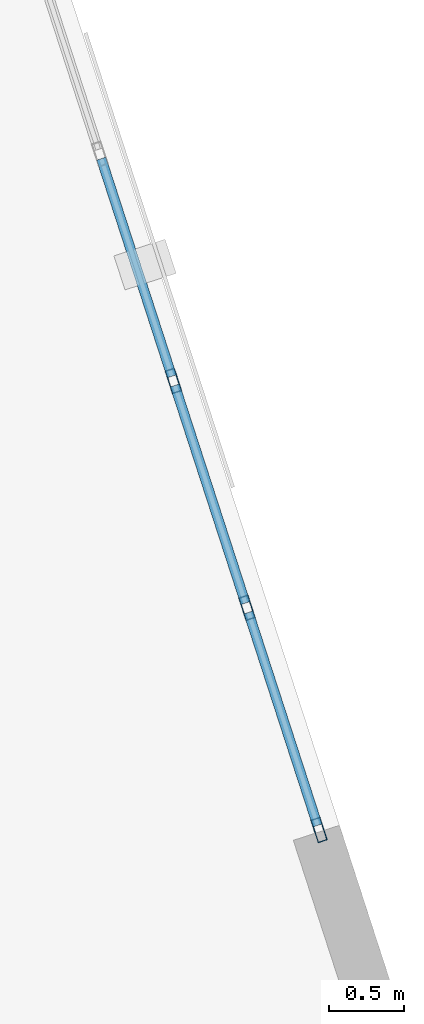
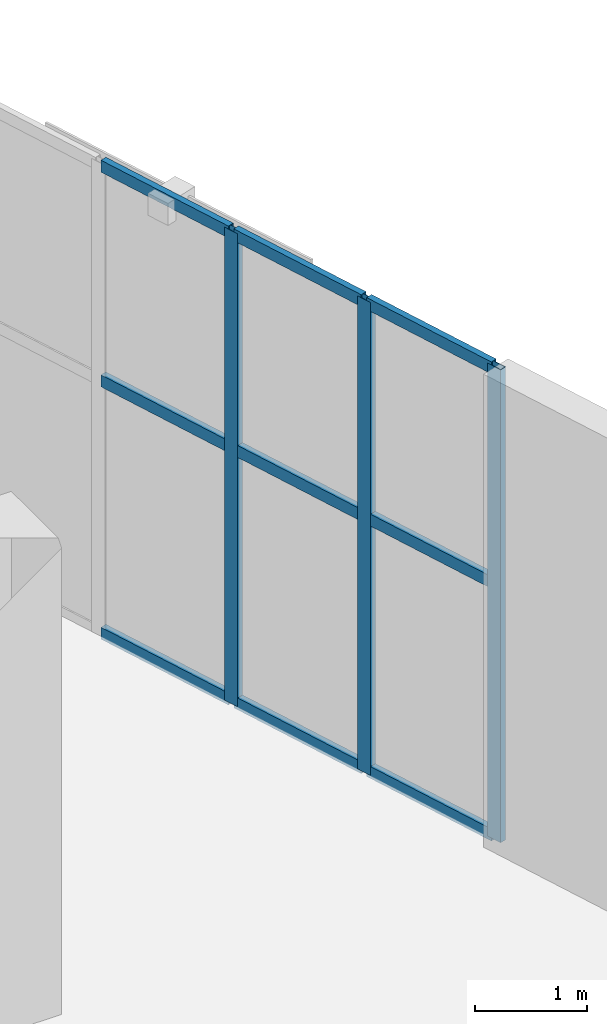
# One storey, part 91 of 139: 12 members, 1 element without a shape of its own.
"""IFC4 building model written with IfcOpenShell, lengths in metres."""

from ifc_helpers import new_model, si_unit, direction, frame, origin, origin_2d, place, context, subcontext, project, spatial, hollow_rectangle, extrude, material, layer, layer_set, material_profile, profile_set, type_object, element, aggregate, save


model = new_model("IFC4")

# Units and contexts
model_context = context("Model", 3, precision=1e-05, world=origin(), true_north=direction((0.0, 1.0)))
body_context = subcontext(model_context, "Body", "Model", "MODEL_VIEW")
ifc_project = project(units=[si_unit("LENGTHUNIT", "METRE"), si_unit("AREAUNIT", "SQUARE_METRE"), si_unit("VOLUMEUNIT", "CUBIC_METRE"), si_unit("PLANEANGLEUNIT", "RADIAN"), si_unit("MASSUNIT", "GRAM", prefix="KILO")], contexts=[model_context])

# Site, building, storey
site_placement = place(None, origin())
site = spatial("IfcSite", under=ifc_project, at=site_placement, CompositionType="ELEMENT")
building_placement = place(site_placement, origin())
building = spatial("IfcBuilding", under=site, at=building_placement, Name="Xicomal Pleat Aquarium", CompositionType="ELEMENT")
storey_placement = place(building_placement, origin())
storey = spatial("IfcBuildingStorey", under=building, at=storey_placement, Name="L01", CompositionType="ELEMENT", Elevation=0.0)

# Curtain wall, members
ifc_material_1 = material(Name="Bronze anodized aluminium 6063-T6", Category="aluminium")
ifc_layer = layer(ifc_material_1, 0.159912109375)
ifc_layer_set = layer_set([ifc_layer], Name="Bronze anodized aluminium 6063-T6")
curtain_wall_type = type_object("IfcCurtainWallType", Name="CW-SYS-01", PredefinedType="NOTDEFINED", material=ifc_layer_set)
curtain_wall_placement = place(storey_placement, origin())
curtain_wall = element("IfcCurtainWall", 1, at=curtain_wall_placement, inside=storey, type_object=curtain_wall_type, Name="L01 unitised curtain wall CW-L01-045", PredefinedType="NOTDEFINED")
ifc_material_2 = material(Name="Bronze anodized aluminium 6063-T6", Category="aluminium")
ifc_material_profile_1 = material_profile(ifc_material_2, hollow_rectangle(XDim=0.06494140625, YDim=0.159912109375, WallThickness=0.00390625, at=origin_2d()), Name="ALU MULL 65x160")
ifc_profile_set_1 = profile_set([ifc_material_profile_1], Name="Bronze anodized aluminium 6063-T6")
member_type_1 = type_object("IfcMemberType", Name="CWM-65x160", PredefinedType="MULLION", material=ifc_profile_set_1)
member_1_placement = place(storey_placement, frame((130.213623046875, 56.197021484375, 0.0), z_axis=(0.0, 0.0, 1.0), x_axis=(0.951181119368, 0.308633242147, 0.0)))
member_1 = element("IfcMember", 2, at=member_1_placement, type_object=member_type_1, Name="CW-01 mullion 4", PredefinedType="MULLION", context=body_context, shape_type="SweptSolid", body=[
    extrude(hollow_rectangle(XDim=0.06494140625, YDim=0.159912109375, WallThickness=0.00390625, at=origin_2d()), origin(), (0.0, 0.0, 1.0), 5.159912109375),
])
member_2_placement = place(storey_placement, frame((130.706787109375, 54.677001953125, 0.0), z_axis=(0.0, 0.0, 1.0), x_axis=(0.951181119368, 0.308633242147, 0.0)))
member_2 = element("IfcMember", 3, at=member_2_placement, type_object=member_type_1, Name="CW-01 mullion 5", PredefinedType="MULLION", context=body_context, shape_type="SweptSolid", body=[
    extrude(hollow_rectangle(XDim=0.06494140625, YDim=0.159912109375, WallThickness=0.00390625, at=origin_2d()), origin(), (0.0, 0.0, 1.0), 5.159912109375),
])
member_3_placement = place(storey_placement, frame((131.18994140625, 53.18798828125, 0.0), z_axis=(0.0, 0.0, 1.0), x_axis=(0.951181119368, 0.308633242147, 0.0)))
member_3 = element("IfcMember", 4, at=member_3_placement, type_object=member_type_1, Name="CW-01 mullion 6", PredefinedType="MULLION", context=body_context, shape_type="SweptSolid", body=[
    extrude(hollow_rectangle(XDim=0.06494140625, YDim=0.159912109375, WallThickness=0.00390625, at=origin_2d()), origin(), (0.0, 0.0, 1.0), 5.159912109375),
])
ifc_material_3 = material(Name="Bronze anodized aluminium 6063-T6", Category="aluminium")
ifc_material_profile_2 = material_profile(ifc_material_3, hollow_rectangle(XDim=0.06494140625, YDim=0.1298828125, WallThickness=0.00390625, at=origin_2d()), Name="ALU TRAN 65x130")
ifc_profile_set_2 = profile_set([ifc_material_profile_2], Name="Bronze anodized aluminium 6063-T6")
member_type_2 = type_object("IfcMemberType", Name="CWT-65x130", PredefinedType="USERDEFINED", material=ifc_profile_set_2)
member_4_placement = place(storey_placement, frame((129.73046875, 57.68603515625, 0.032470703125), z_axis=(0.30862152628, -0.951184920779, 0.0), x_axis=(0.951184920779, 0.30862152628, 0.0)))
member_4 = element("IfcMember", 5, at=member_4_placement, type_object=member_type_2, Name="CW-01 transom 3.1", ObjectType="TRANSOM", PredefinedType="USERDEFINED", context=body_context, shape_type="SweptSolid", body=[
    extrude(hollow_rectangle(XDim=0.06494140625, YDim=0.1298828125, WallThickness=0.00390625, at=origin_2d()), origin(), (0.0, 0.0, 1.0), 1.533203125),
])
member_5_placement = place(storey_placement, frame((129.73046875, 57.68603515625, 2.785888671875), z_axis=(0.30862152628, -0.951184920779, 0.0), x_axis=(0.951184920779, 0.30862152628, 0.0)))
member_5 = element("IfcMember", 6, at=member_5_placement, type_object=member_type_2, Name="CW-01 transom 3.2", ObjectType="TRANSOM", PredefinedType="USERDEFINED", context=body_context, shape_type="SweptSolid", body=[
    extrude(hollow_rectangle(XDim=0.06494140625, YDim=0.1298828125, WallThickness=0.00390625, at=origin_2d()), origin(), (0.0, 0.0, 1.0), 1.533203125),
])
member_6_placement = place(storey_placement, frame((129.73046875, 57.68603515625, 5.12744140625), z_axis=(0.30862152628, -0.951184920779, 0.0), x_axis=(0.951184920779, 0.30862152628, 0.0)))
member_6 = element("IfcMember", 7, at=member_6_placement, type_object=member_type_2, Name="CW-01 transom 3.3", ObjectType="TRANSOM", PredefinedType="USERDEFINED", context=body_context, shape_type="SweptSolid", body=[
    extrude(hollow_rectangle(XDim=0.06494140625, YDim=0.1298828125, WallThickness=0.00390625, at=origin_2d()), origin(), (0.0, 0.0, 1.0), 1.533203125),
])
member_7_placement = place(storey_placement, frame((130.2236328125, 56.166015625, 0.032470703125), z_axis=(0.308668281051, -0.951169749452, 0.0), x_axis=(0.951169749452, 0.308668281051, 0.0)))
member_7 = element("IfcMember", 8, at=member_7_placement, type_object=member_type_2, Name="CW-01 transom 4.1", ObjectType="TRANSOM", PredefinedType="USERDEFINED", context=body_context, shape_type="SweptSolid", body=[
    extrude(hollow_rectangle(XDim=0.06494140625, YDim=0.1298828125, WallThickness=0.00390625, at=origin_2d()), origin(), (0.0, 0.0, 1.0), 1.532958984375),
])
member_8_placement = place(storey_placement, frame((130.2236328125, 56.166015625, 2.785888671875), z_axis=(0.308668281051, -0.951169749452, 0.0), x_axis=(0.951169749452, 0.308668281051, 0.0)))
member_8 = element("IfcMember", 9, at=member_8_placement, type_object=member_type_2, Name="CW-01 transom 4.2", ObjectType="TRANSOM", PredefinedType="USERDEFINED", context=body_context, shape_type="SweptSolid", body=[
    extrude(hollow_rectangle(XDim=0.06494140625, YDim=0.1298828125, WallThickness=0.00390625, at=origin_2d()), origin(), (0.0, 0.0, 1.0), 1.532958984375),
])
member_9_placement = place(storey_placement, frame((130.2236328125, 56.166015625, 5.12744140625), z_axis=(0.308668281051, -0.951169749452, 0.0), x_axis=(0.951169749452, 0.308668281051, 0.0)))
member_9 = element("IfcMember", 10, at=member_9_placement, type_object=member_type_2, Name="CW-01 transom 4.3", ObjectType="TRANSOM", PredefinedType="USERDEFINED", context=body_context, shape_type="SweptSolid", body=[
    extrude(hollow_rectangle(XDim=0.06494140625, YDim=0.1298828125, WallThickness=0.00390625, at=origin_2d()), origin(), (0.0, 0.0, 1.0), 1.532958984375),
])
member_10_placement = place(storey_placement, frame((130.716796875, 54.64599609375, 0.032470703125), z_axis=(0.308651914122, -0.951175060601, 0.0), x_axis=(0.951175060601, 0.308651914122, 0.0)))
member_10 = element("IfcMember", 11, at=member_10_placement, type_object=member_type_2, Name="CW-01 transom 5.1", ObjectType="TRANSOM", PredefinedType="USERDEFINED", context=body_context, shape_type="SweptSolid", body=[
    extrude(hollow_rectangle(XDim=0.06494140625, YDim=0.1298828125, WallThickness=0.00390625, at=origin_2d()), origin(), (0.0, 0.0, 1.0), 1.50048828125),
])
member_11_placement = place(storey_placement, frame((130.716796875, 54.64599609375, 2.785888671875), z_axis=(0.308651914122, -0.951175060601, 0.0), x_axis=(0.951175060601, 0.308651914122, 0.0)))
member_11 = element("IfcMember", 12, at=member_11_placement, type_object=member_type_2, Name="CW-01 transom 5.2", ObjectType="TRANSOM", PredefinedType="USERDEFINED", context=body_context, shape_type="SweptSolid", body=[
    extrude(hollow_rectangle(XDim=0.06494140625, YDim=0.1298828125, WallThickness=0.00390625, at=origin_2d()), origin(), (0.0, 0.0, 1.0), 1.50048828125),
])
member_12_placement = place(storey_placement, frame((130.716796875, 54.64599609375, 5.12744140625), z_axis=(0.308651914122, -0.951175060601, 0.0), x_axis=(0.951175060601, 0.308651914122, 0.0)))
member_12 = element("IfcMember", 13, at=member_12_placement, type_object=member_type_2, Name="CW-01 transom 5.3", ObjectType="TRANSOM", PredefinedType="USERDEFINED", context=body_context, shape_type="SweptSolid", body=[
    extrude(hollow_rectangle(XDim=0.06494140625, YDim=0.1298828125, WallThickness=0.00390625, at=origin_2d()), origin(), (0.0, 0.0, 1.0), 1.50048828125),
])
aggregate(curtain_wall, [member_1, member_2, member_3, member_4, member_5, member_6, member_7, member_8, member_9, member_10, member_11, member_12])

save(model, "model.ifc")
